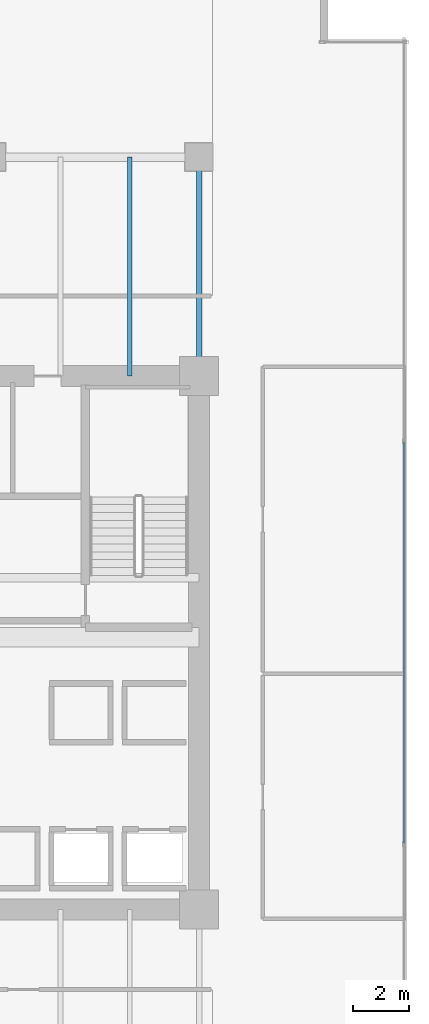
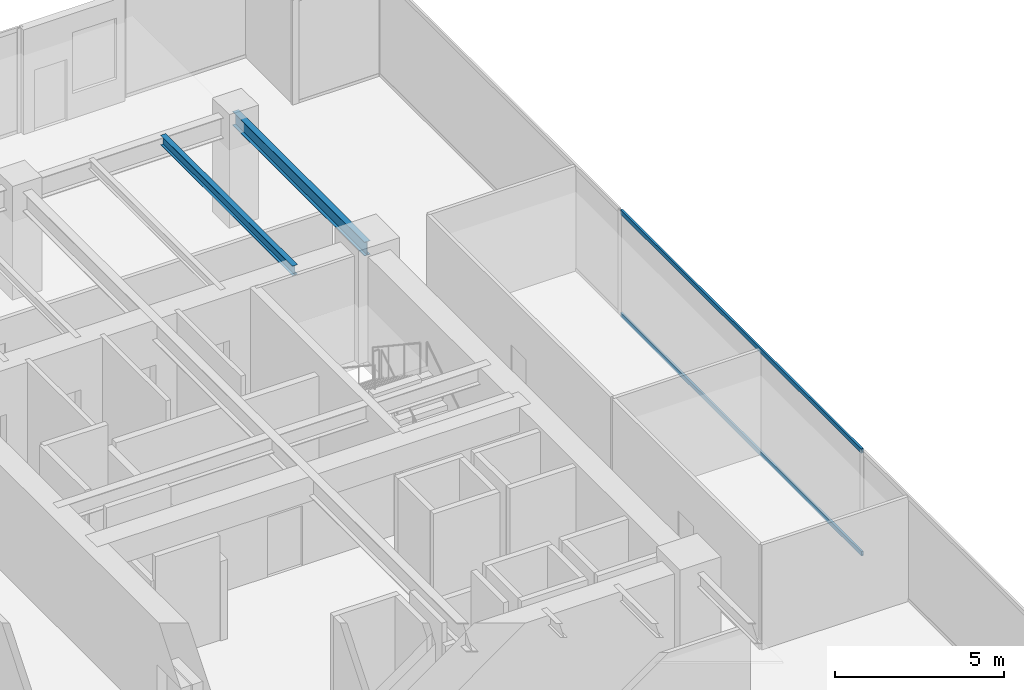
# One storey, part 21 of 32: 2 beams, 2 members, 1 element without a shape of its own.
"""IFC4 building model written with IfcOpenShell, lengths in metres."""

from ifc_helpers import new_model, si_unit, direction, frame, origin, origin_2d, place, context, subcontext, project, spatial, hollow_rectangle, i_section, extrude, source, transform, mapped, material, layer, layer_set, material_profile, profile_set, type_object, type_shapes, element, aggregate, save


model = new_model("IFC4")

# Units and contexts
model_context = context("Model", 3, precision=1e-05, world=origin(), true_north=direction((0.0, 1.0)))
body_context = subcontext(model_context, "Body", "Model", "MODEL_VIEW")
ifc_project = project(units=[si_unit("LENGTHUNIT", "METRE"), si_unit("AREAUNIT", "SQUARE_METRE"), si_unit("VOLUMEUNIT", "CUBIC_METRE"), si_unit("PLANEANGLEUNIT", "RADIAN"), si_unit("MASSUNIT", "GRAM", prefix="KILO")], contexts=[model_context])

# Site, building, storey
site_placement = place(None, origin())
site = spatial("IfcSite", under=ifc_project, at=site_placement, CompositionType="ELEMENT")
building_placement = place(site_placement, origin())
building = spatial("IfcBuilding", under=site, at=building_placement, Name="Haelvirn Gate Laboratories", CompositionType="ELEMENT")
storey_placement = place(building_placement, frame((0.0, 0.0, 33.39990234375)))
storey = spatial("IfcBuildingStorey", under=building, at=storey_placement, Name="L08", CompositionType="ELEMENT", Elevation=33.39990234375)

# Beams
ifc_material_1 = material(Name="Steel SM355", Category="steel")
ifc_material_profile_1 = material_profile(ifc_material_1, i_section(OverallWidth=0.199951171875, OverallDepth=0.5, WebThickness=0.010009765625, FlangeThickness=0.01611328125, at=origin_2d()), Name="H-500x200x10x16")
ifc_profile_set_1 = profile_set([ifc_material_profile_1], Name="Steel SM355")
beam_type_1 = type_object("IfcBeamType", Name="BM-SP-500", PredefinedType="SPANDREL", material=ifc_profile_set_1)
shared_shape_1 = source(origin(), body_context, "Body", "SweptSolid", [
    extrude(i_section(OverallWidth=0.199951171875, OverallDepth=0.5, WebThickness=0.010009765625, FlangeThickness=0.01611328125, at=origin_2d()), origin(), (0.0, 0.0, 1.0), 7.800048828125),
])
type_shapes(beam_type_1, [shared_shape_1])
beam_1_placement = place(storey_placement, frame((67.39990234375, 33.800048828125, 3.530029296875), z_axis=(0.0, 1.0, 0.0), x_axis=(-1.0, 0.0, 0.0)))
element("IfcBeam", 1, at=beam_1_placement, inside=storey, type_object=beam_type_1, Name="L08 Perimeter Spandrel X67.4 (33.8-41.6)", PredefinedType="SPANDREL", context=body_context, shape_type="MappedRepresentation", body=[
    mapped(shared_shape_1, transform((0.0, 0.0, 0.0), scale=1.0)),
])
ifc_material_profile_2 = material_profile(ifc_material_1, i_section(OverallWidth=0.175048828125, OverallDepth=0.35009765625, WebThickness=0.007080078125, FlangeThickness=0.010986328125, at=origin_2d()), Name="H-350x175x7x11")
ifc_profile_set_2 = profile_set([ifc_material_profile_2], Name="Steel SM355")
beam_type_2 = type_object("IfcBeamType", Name="BM-J-350", PredefinedType="JOIST", material=ifc_profile_set_2)
shared_shape_2 = source(origin(), body_context, "Body", "SweptSolid", [
    extrude(i_section(OverallWidth=0.175048828125, OverallDepth=0.35009765625, WebThickness=0.007080078125, FlangeThickness=0.010986328125, at=origin_2d()), origin(), (0.0, 0.0, 1.0), 7.800048828125),
])
type_shapes(beam_type_2, [shared_shape_2])
beam_2_placement = place(storey_placement, frame((64.929931640625, 33.800048828125, 3.60498046875), z_axis=(0.0, 1.0, 0.0), x_axis=(-1.0, 0.0, 0.0)))
element("IfcBeam", 2, at=beam_2_placement, inside=storey, type_object=beam_type_2, Name="L08 Composite Lab Joist North X64.93", PredefinedType="JOIST", context=body_context, shape_type="MappedRepresentation", body=[
    mapped(shared_shape_2, transform((0.0, 0.0, 0.0), scale=1.0)),
])

# Curtain wall, members
ifc_material_2 = material(Name="Anodised bronze unitised aluminium & triple low-E glass", Category="aluminium")
ifc_layer = layer(ifc_material_2, 0.18408203125, Name="CW-SYS-2")
ifc_layer_set = layer_set([ifc_layer], Name="Anodised bronze unitised aluminium & triple low-E glass")
curtain_wall_type = type_object("IfcCurtainWallType", Name="CW-SYS-2", PredefinedType="NOTDEFINED", material=ifc_layer_set)
curtain_wall_placement = place(storey_placement, origin())
curtain_wall = element("IfcCurtainWall", 3, at=curtain_wall_placement, inside=storey, type_object=curtain_wall_type, Name="L08 Unitised Curtain Wall CW-L08-P0-E07", PredefinedType="NOTDEFINED")
ifc_material_3 = material(Name="Extruded aluminium 6063-T6 (anodised bronze)", Category="aluminium")
ifc_material_profile_3 = material_profile(ifc_material_3, hollow_rectangle(XDim=0.070068359375, YDim=0.159912109375, WallThickness=0.0048828125, at=origin_2d()), Name="CWT-160x70x5")
ifc_profile_set_3 = profile_set([ifc_material_profile_3], Name="Extruded aluminium 6063-T6 (anodised bronze)")
member_type = type_object("IfcMemberType", Name="CWT-T160", PredefinedType="USERDEFINED", material=ifc_profile_set_3)
shared_shape_3 = source(origin(), body_context, "Body", "SweptSolid", [
    extrude(hollow_rectangle(XDim=0.070068359375, YDim=0.159912109375, WallThickness=0.0048828125, at=origin_2d()), origin(), (0.0, 0.0, 1.0), 14.25830078125),
])
type_shapes(member_type, [shared_shape_3])
member_1_placement = place(storey_placement, frame((74.699951171875, 17.1708984375, 0.03515625), z_axis=(0.0, 1.0, 0.0), x_axis=(-1.0, 0.0, 0.0)))
member_1 = element("IfcMember", 4, at=member_1_placement, type_object=member_type, Name="CW2 transom 2.1", ObjectType="TRANSOM", PredefinedType="USERDEFINED", context=body_context, shape_type="MappedRepresentation", body=[
    mapped(shared_shape_3, transform((0.0, 0.0, 0.0), scale=1.0)),
])
member_2_placement = place(storey_placement, frame((74.699951171875, 17.1708984375, 3.7451171875), z_axis=(0.0, 1.0, 0.0), x_axis=(-1.0, 0.0, 0.0)))
member_2 = element("IfcMember", 5, at=member_2_placement, type_object=member_type, Name="CW2 transom 2.2", ObjectType="TRANSOM", PredefinedType="USERDEFINED", context=body_context, shape_type="MappedRepresentation", body=[
    mapped(shared_shape_3, transform((0.0, 0.0, 0.0), scale=1.0)),
])
aggregate(curtain_wall, [member_1, member_2])

save(model, "model.ifc")
